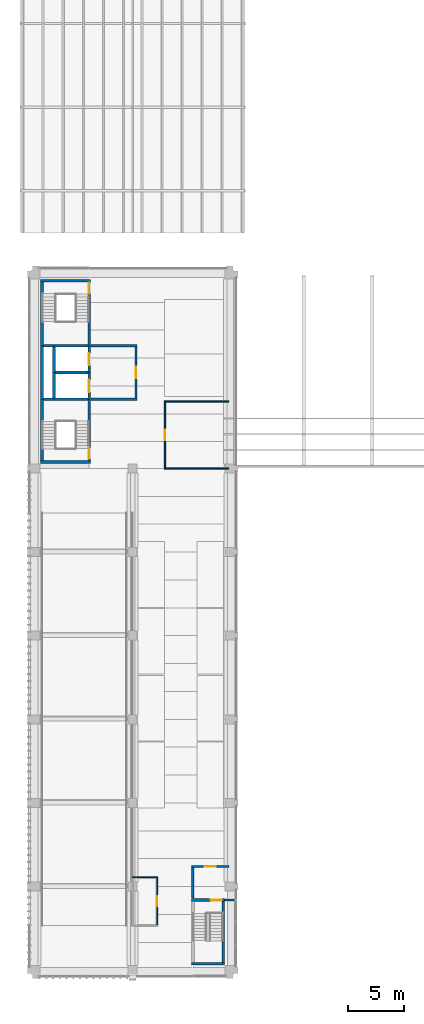
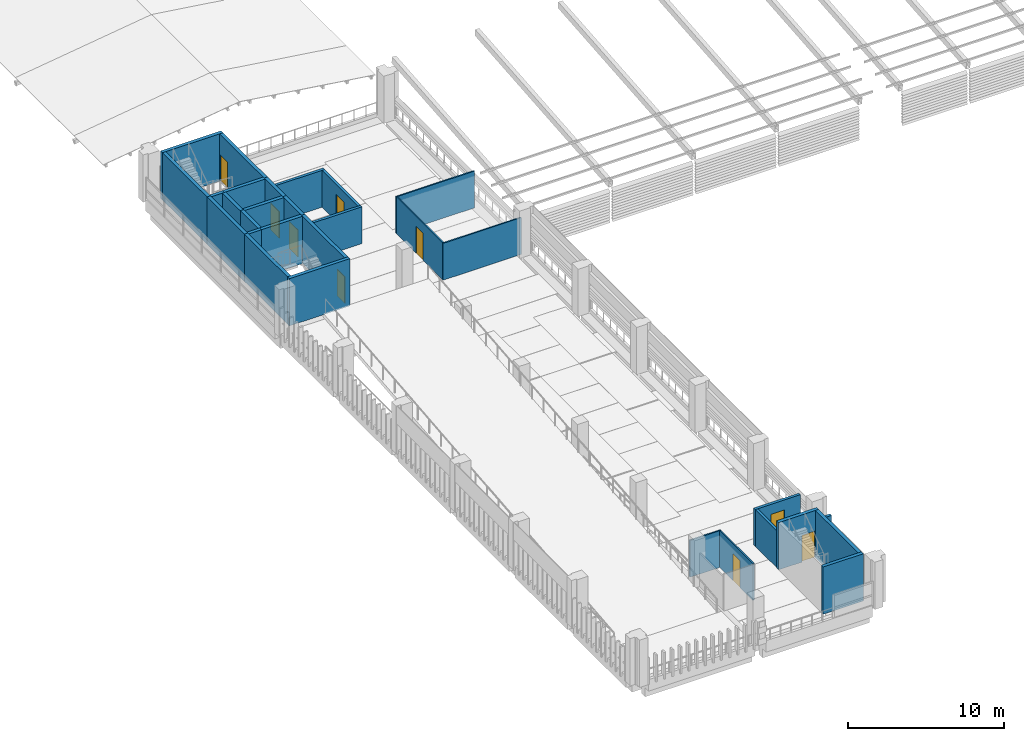
# One storey, part 24 of 52: 30 walls, 9 doors, 9 openings.
"""IFC4 building model written with IfcOpenShell, lengths in metres."""

from ifc_helpers import new_model, si_unit, direction, frame, frame_2d, origin, place, context, subcontext, project, spatial, rectangle, extrude, material, layer, layer_set, type_object, element, fill, save


model = new_model("IFC4")

# Units and contexts
model_context = context("Model", 3, precision=1e-05, world=origin(), true_north=direction((0.0, 1.0)))
body_context = subcontext(model_context, "Body", "Model", "MODEL_VIEW")
ifc_project = project(units=[si_unit("LENGTHUNIT", "METRE"), si_unit("AREAUNIT", "SQUARE_METRE"), si_unit("VOLUMEUNIT", "CUBIC_METRE"), si_unit("PLANEANGLEUNIT", "RADIAN"), si_unit("MASSUNIT", "GRAM", prefix="KILO")], contexts=[model_context])

# Site, building, storey
site_placement = place(None, origin())
site = spatial("IfcSite", under=ifc_project, at=site_placement, CompositionType="ELEMENT")
building_placement = place(site_placement, origin())
building = spatial("IfcBuilding", under=site, at=building_placement, Name="Cour d'Honneur Mobility Palace", CompositionType="ELEMENT")
storey_placement = place(building_placement, frame((0.0, 0.0, 23.0)))
storey = spatial("IfcBuildingStorey", under=building, at=storey_placement, Name="L06", CompositionType="ELEMENT", Elevation=23.0)

# Walls
ifc_material_1 = material(Name="Concrete C50", Category="concrete")
ifc_layer_1 = layer(ifc_material_1, 0.25)
ifc_layer_set_1 = layer_set([ifc_layer_1], Name="Concrete C50")
wall_type_1 = type_object("IfcWallType", Name="Lift shaft wall 250", PredefinedType="SHEAR", material=ifc_layer_set_1)
wall_1_placement = place(storey_placement, frame((1.77490234375, 53.60009765625, 0.0), z_axis=(0.0, 0.0, 1.0), x_axis=(1.0, 0.0, 0.0)))
element("IfcWall", 1, at=wall_1_placement, inside=storey, type_object=wall_type_1, Name="Lift shaft wall WL-CW4 L06", PredefinedType="SHEAR", context=body_context, shape_type="SweptSolid", body=[
    extrude(rectangle(XDim=2.900146484375, YDim=0.25, at=frame_2d((1.4501953125, 0.0))), origin(), (0.0, 0.0, 1.0), 3.699951171875),
])
wall_2_placement = place(storey_placement, frame((1.64990234375, 51.324951171875, 0.0), z_axis=(0.0, 0.0, 1.0), x_axis=(0.0, 1.0, 0.0)))
element("IfcWall", 2, at=wall_2_placement, inside=storey, type_object=wall_type_1, Name="Lift shaft wall WL-CW11 L06", PredefinedType="SHEAR", context=body_context, shape_type="SweptSolid", body=[
    extrude(rectangle(XDim=2.275146484375, YDim=0.25, at=frame_2d((1.1376953125, 0.0))), origin(), (0.0, 0.0, 1.0), 3.699951171875),
])
wall_3_placement = place(storey_placement, frame((1.64990234375, 53.60009765625, 0.0), z_axis=(0.0, 0.0, 1.0), x_axis=(0.0, 1.0, 0.0)))
element("IfcWall", 3, at=wall_3_placement, inside=storey, type_object=wall_type_1, Name="Lift shaft wall WL-CW12 L06", PredefinedType="SHEAR", context=body_context, shape_type="SweptSolid", body=[
    extrude(rectangle(XDim=2.27490234375, YDim=0.25, at=frame_2d((1.137451171875, 0.0))), origin(), (0.0, 0.0, 1.0), 3.699951171875),
])

# Wall, opening, door
wall_4_placement = place(storey_placement, frame((4.800048828125, 51.199951171875, 0.0), z_axis=(0.0, 0.0, 1.0), x_axis=(0.0, 1.0, 0.0)))
wall_4 = element("IfcWall", 4, at=wall_4_placement, inside=storey, type_object=wall_type_1, Name="Lift shaft wall WL-CW14 L06", PredefinedType="SHEAR", context=body_context, shape_type="SweptSolid", body=[
    extrude(rectangle(XDim=2.400146484375, YDim=0.25, at=frame_2d((1.2001953125, 0.0))), origin(), (0.0, 0.0, 1.0), 3.699951171875),
])
opening_1_placement = place(wall_4_placement, frame((0.64990234375, 0.0, 0.0)))
opening_1 = element("IfcOpeningElement", 5, at=opening_1_placement, cuts=wall_4, Name="Opening LD7", PredefinedType="OPENING", context=body_context, shape_type="SweptSolid", body=[
    extrude(rectangle(XDim=1.10009765625, YDim=2.10009765625, at=frame_2d((0.550048828125, 1.050048828125))), frame((0.0, 0.135009765625, 0.0), z_axis=(0.0, -1.0, 0.0), x_axis=(1.0, 0.0, 0.0)), (0.0, 0.0, 1.0), 0.27001953125),
])
ifc_material_2 = material(Name="Stainless steel", Category="steel")
door_type_1 = type_object("IfcDoorType", Name="Landing door 1100 x 2100", OperationType="SLIDING_TO_LEFT", PredefinedType="DOOR", material=ifc_material_2)
door_1_placement = place(opening_1_placement, origin())
door_1 = element("IfcDoor", 6, at=door_1_placement, inside=storey, type_object=door_type_1, Name="Landing door LF-CW1 L06", OperationType="SLIDING_TO_LEFT", OverallHeight=2.10009765625, OverallWidth=1.10009765625, PredefinedType="DOOR", context=body_context, shape_type="SweptSolid", body=[
    extrude(rectangle(XDim=1.10009765625, YDim=2.10009765625, at=frame_2d((0.550048828125, 1.050048828125))), frame((0.0, 0.02490234375, 0.0), z_axis=(0.0, -1.0, 0.0), x_axis=(1.0, 0.0, 0.0)), (0.0, 0.0, 1.0), 0.050048828125),
])
fill(opening_1, door_1)

wall_5_placement = place(storey_placement, frame((4.800048828125, 53.60009765625, 0.0), z_axis=(0.0, 0.0, 1.0), x_axis=(0.0, 1.0, 0.0)))
wall_5 = element("IfcWall", 7, at=wall_5_placement, inside=storey, type_object=wall_type_1, Name="Lift shaft wall WL-CW15 L06", PredefinedType="SHEAR", context=body_context, shape_type="SweptSolid", body=[
    extrude(rectangle(XDim=2.39990234375, YDim=0.25, at=frame_2d((1.199951171875, 0.0))), origin(), (0.0, 0.0, 1.0), 3.699951171875),
])
opening_2_placement = place(wall_5_placement, frame((0.64990234375, 0.0, 0.0)))
opening_2 = element("IfcOpeningElement", 8, at=opening_2_placement, cuts=wall_5, Name="Opening LD17", PredefinedType="OPENING", context=body_context, shape_type="SweptSolid", body=[
    extrude(rectangle(XDim=1.10009765625, YDim=2.10009765625, at=frame_2d((0.550048828125, 1.050048828125))), frame((0.0, 0.135009765625, 0.0), z_axis=(0.0, -1.0, 0.0), x_axis=(1.0, 0.0, 0.0)), (0.0, 0.0, 1.0), 0.27001953125),
])
door_2_placement = place(opening_2_placement, origin())
door_2 = element("IfcDoor", 9, at=door_2_placement, inside=storey, type_object=door_type_1, Name="Landing door LF-CW2 L06", OperationType="SLIDING_TO_LEFT", OverallHeight=2.10009765625, OverallWidth=1.10009765625, PredefinedType="DOOR", context=body_context, shape_type="SweptSolid", body=[
    extrude(rectangle(XDim=1.10009765625, YDim=2.10009765625, at=frame_2d((0.550048828125, 1.050048828125))), frame((0.0, 0.02490234375, 0.0), z_axis=(0.0, -1.0, 0.0), x_axis=(1.0, 0.0, 0.0)), (0.0, 0.0, 1.0), 0.050048828125),
])
fill(opening_2, door_2)

ifc_material_3 = material(Name="Gypsum plasterboard")
ifc_layer_2 = layer(ifc_material_3, 0.10009765625)
ifc_layer_set_2 = layer_set([ifc_layer_2], Name="Gypsum plasterboard")
wall_type_2 = type_object("IfcWallType", Name="Partition 100", PredefinedType="PARTITIONING", material=ifc_layer_set_2)
wall_6_placement = place(storey_placement, frame((10.89990234375, 4.050048828125, 0.0), z_axis=(0.0, 0.0, 1.0), x_axis=(0.0, 1.0, 0.0)))
wall_6 = element("IfcWall", 10, at=wall_6_placement, inside=storey, type_object=wall_type_2, Name="Partition 002", PredefinedType="PARTITIONING", context=body_context, shape_type="SweptSolid", body=[
    extrude(rectangle(XDim=4.25, YDim=0.10009765625, at=frame_2d((2.125, 0.0))), origin(), (0.0, 0.0, 1.0), 2.8798828125),
])
opening_3_placement = place(wall_6_placement, frame((1.675048828125, 0.0, 0.0)))
opening_3 = element("IfcOpeningElement", 11, at=opening_3_placement, cuts=wall_6, Name="Opening D0604", PredefinedType="OPENING", context=body_context, shape_type="SweptSolid", body=[
    extrude(rectangle(XDim=0.89990234375, YDim=2.10009765625, at=frame_2d((0.449951171875, 1.050048828125))), frame((0.0, 0.06005859375, 0.0), z_axis=(0.0, -1.0, 0.0), x_axis=(1.0, 0.0, 0.0)), (0.0, 0.0, 1.0), 0.1201171875),
])
ifc_material_4 = material(Name="Solid timber", Category="wood")
door_type_2 = type_object("IfcDoorType", Name="Single door 900 x 2100", OperationType="SINGLE_SWING_LEFT", PredefinedType="DOOR", material=ifc_material_4)
door_3_placement = place(opening_3_placement, origin())
door_3 = element("IfcDoor", 12, at=door_3_placement, inside=storey, type_object=door_type_2, Name="Door Valet Handover West", OperationType="SINGLE_SWING_LEFT", OverallHeight=2.10009765625, OverallWidth=0.89990234375, PredefinedType="DOOR", context=body_context, shape_type="SweptSolid", body=[
    extrude(rectangle(XDim=0.89990234375, YDim=2.10009765625, at=frame_2d((0.449951171875, 1.050048828125))), frame((0.0, 0.02490234375, 0.0), z_axis=(0.0, -1.0, 0.0), x_axis=(1.0, 0.0, 0.0)), (0.0, 0.0, 1.0), 0.050048828125),
])
fill(opening_3, door_3)

# Walls
wall_7_placement = place(storey_placement, frame((10.949951171875, 8.35009765625, 0.0), z_axis=(0.0, 0.0, 1.0), x_axis=(-1.0, 0.0, 0.0)))
element("IfcWall", 13, at=wall_7_placement, inside=storey, type_object=wall_type_2, Name="Partition 009", PredefinedType="PARTITIONING", context=body_context, shape_type="SweptSolid", body=[
    extrude(rectangle(XDim=2.300048828125, YDim=0.10009765625, at=frame_2d((1.14990234375, 0.0))), origin(), (0.0, 0.0, 1.0), 2.8798828125),
])
wall_8_placement = place(storey_placement, frame((11.550048828125, 45.0, 0.0), z_axis=(0.0, 0.0, 1.0), x_axis=(1.0, 0.0, 0.0)))
element("IfcWall", 14, at=wall_8_placement, inside=storey, type_object=wall_type_2, Name="Partition 015", PredefinedType="PARTITIONING", context=body_context, shape_type="SweptSolid", body=[
    extrude(rectangle(XDim=5.7900390625, YDim=0.10009765625, at=frame_2d((2.89501953125, 0.0))), origin(), (0.0, 0.0, 1.0), 2.8798828125),
])

# Wall, opening, door
wall_9_placement = place(storey_placement, frame((11.60009765625, 50.949951171875, 0.0), z_axis=(0.0, 0.0, 1.0), x_axis=(0.0, -1.0, 0.0)))
wall_9 = element("IfcWall", 15, at=wall_9_placement, inside=storey, type_object=wall_type_2, Name="Partition 018", PredefinedType="PARTITIONING", context=body_context, shape_type="SweptSolid", body=[
    extrude(rectangle(XDim=5.89990234375, YDim=0.10009765625, at=frame_2d((2.949951171875, 0.0))), origin(), (0.0, 0.0, 1.0), 2.8798828125),
])
opening_4_placement = place(wall_9_placement, frame((2.5, 0.0, 0.0)))
opening_4 = element("IfcOpeningElement", 16, at=opening_4_placement, cuts=wall_9, Name="Opening D0606", PredefinedType="OPENING", context=body_context, shape_type="SweptSolid", body=[
    extrude(rectangle(XDim=0.89990234375, YDim=2.10009765625, at=frame_2d((0.449951171875, 1.050048828125))), frame((0.0, 0.06005859375, 0.0), z_axis=(0.0, -1.0, 0.0), x_axis=(1.0, 0.0, 0.0)), (0.0, 0.0, 1.0), 0.1201171875),
])
door_4_placement = place(opening_4_placement, origin())
door_4 = element("IfcDoor", 17, at=door_4_placement, inside=storey, type_object=door_type_2, Name="Door Charging Control Room", OperationType="SINGLE_SWING_RIGHT", OverallHeight=2.10009765625, OverallWidth=0.89990234375, PredefinedType="DOOR", context=body_context, shape_type="SweptSolid", body=[
    extrude(rectangle(XDim=0.89990234375, YDim=2.10009765625, at=frame_2d((0.449951171875, 1.050048828125))), frame((0.0, 0.02490234375, 0.0), z_axis=(0.0, -1.0, 0.0), x_axis=(1.0, 0.0, 0.0)), (0.0, 0.0, 1.0), 0.050048828125),
])
fill(opening_4, door_4)

# Walls
wall_10_placement = place(storey_placement, frame((17.340087890625, 51.0, 0.0), z_axis=(0.0, 0.0, 1.0), x_axis=(-1.0, 0.0, 0.0)))
element("IfcWall", 18, at=wall_10_placement, inside=storey, type_object=wall_type_2, Name="Partition 019", PredefinedType="PARTITIONING", context=body_context, shape_type="SweptSolid", body=[
    extrude(rectangle(XDim=5.7900390625, YDim=0.10009765625, at=frame_2d((2.89501953125, 0.0))), origin(), (0.0, 0.0, 1.0), 2.8798828125),
])
ifc_material_5 = material(Name="Gypsum plasterboard")
ifc_layer_3 = layer(ifc_material_5, 0.199951171875)
ifc_layer_set_3 = layer_set([ifc_layer_3], Name="Gypsum plasterboard")
wall_type_3 = type_object("IfcWallType", Name="Partition 200 rated EI 120", PredefinedType="PARTITIONING", material=ifc_layer_set_3)
wall_11_placement = place(storey_placement, frame((16.949951171875, 6.300048828125, 0.0), z_axis=(0.0, 0.0, 1.0), x_axis=(1.0, 0.0, 0.0)))
element("IfcWall", 19, at=wall_11_placement, inside=storey, type_object=wall_type_3, Name="Partition 005", PredefinedType="PARTITIONING", context=body_context, shape_type="SweptSolid", body=[
    extrude(rectangle(XDim=0.949951171875, YDim=0.199951171875, at=frame_2d((0.47509765625, 0.0))), origin(), (0.0, 0.0, 1.0), 2.8798828125),
])
wall_12_placement = place(storey_placement, frame((14.10009765625, 9.199951171875, 0.0), z_axis=(0.0, 0.0, 1.0), x_axis=(0.0, -1.0, 0.0)))
element("IfcWall", 20, at=wall_12_placement, inside=storey, type_object=wall_type_3, Name="Partition 012", PredefinedType="PARTITIONING", context=body_context, shape_type="SweptSolid", body=[
    extrude(rectangle(XDim=2.724853515625, YDim=0.199951171875, at=frame_2d((1.3623046875, 0.0))), origin(), (0.0, 0.0, 1.0), 2.8798828125),
])

# Wall, opening, door
wall_13_placement = place(storey_placement, frame((17.340087890625, 9.300048828125, 0.0), z_axis=(0.0, 0.0, 1.0), x_axis=(-1.0, 0.0, 0.0)))
wall_13 = element("IfcWall", 21, at=wall_13_placement, inside=storey, type_object=wall_type_3, Name="Partition 013", PredefinedType="PARTITIONING", context=body_context, shape_type="SweptSolid", body=[
    extrude(rectangle(XDim=3.340087890625, YDim=0.199951171875, at=frame_2d((1.669921875, 0.0))), origin(), (0.0, 0.0, 1.0), 2.8798828125),
])
opening_5_placement = place(wall_13_placement, frame((1.169921875, 0.0, 0.0)))
opening_5 = element("IfcOpeningElement", 22, at=opening_5_placement, cuts=wall_13, Name="Opening D0602", PredefinedType="OPENING", context=body_context, shape_type="SweptSolid", body=[
    extrude(rectangle(XDim=1.0, YDim=2.10009765625, at=frame_2d((0.5, 1.050048828125))), frame((0.0, 0.10986328125, 0.0), z_axis=(0.0, -1.0, 0.0), x_axis=(1.0, 0.0, 0.0)), (0.0, 0.0, 1.0), 0.219970703125),
])
ifc_material_6 = material(Name="Galvanised steel", Category="steel")
door_type_3 = type_object("IfcDoorType", Name="Fire door FD120 1000 x 2100", OperationType="SINGLE_SWING_LEFT", PredefinedType="DOOR", material=ifc_material_6)
door_5_placement = place(opening_5_placement, origin())
door_5 = element("IfcDoor", 23, at=door_5_placement, inside=storey, type_object=door_type_3, Name="Door Stair Lobby RW", OperationType="SINGLE_SWING_LEFT", OverallHeight=2.10009765625, OverallWidth=1.0, PredefinedType="DOOR", context=body_context, shape_type="SweptSolid", body=[
    extrude(rectangle(XDim=1.0, YDim=2.10009765625, at=frame_2d((0.5, 1.050048828125))), frame((0.0, 0.02490234375, 0.0), z_axis=(0.0, -1.0, 0.0), x_axis=(1.0, 0.0, 0.0)), (0.0, 0.0, 1.0), 0.050048828125),
])
fill(opening_5, door_5)

# Wall
wall_14_placement = place(storey_placement, frame((4.97509765625, 51.199951171875, 0.0), z_axis=(0.0, 0.0, 1.0), x_axis=(1.0, 0.0, 0.0)))
element("IfcWall", 24, at=wall_14_placement, inside=storey, type_object=wall_type_3, Name="Partition 021", PredefinedType="PARTITIONING", context=body_context, shape_type="SweptSolid", body=[
    extrude(rectangle(XDim=4.125, YDim=0.199951171875, at=frame_2d((2.0625, 0.0))), origin(), (0.0, 0.0, 1.0), 2.8798828125),
])

# Wall, opening, door
wall_15_placement = place(storey_placement, frame((9.0, 51.300048828125, 0.0), z_axis=(0.0, 0.0, 1.0), x_axis=(0.0, 1.0, 0.0)))
wall_15 = element("IfcWall", 25, at=wall_15_placement, inside=storey, type_object=wall_type_3, Name="Partition 022", PredefinedType="PARTITIONING", context=body_context, shape_type="SweptSolid", body=[
    extrude(rectangle(XDim=4.599853515625, YDim=0.199951171875, at=frame_2d((2.2998046875, 0.0))), origin(), (0.0, 0.0, 1.0), 2.8798828125),
])
opening_6_placement = place(wall_15_placement, frame((1.800048828125, 0.0, 0.0)))
opening_6 = element("IfcOpeningElement", 26, at=opening_6_placement, cuts=wall_15, Name="Opening D0601", PredefinedType="OPENING", context=body_context, shape_type="SweptSolid", body=[
    extrude(rectangle(XDim=1.0, YDim=2.10009765625, at=frame_2d((0.5, 1.050048828125))), frame((0.0, 0.10986328125, 0.0), z_axis=(0.0, -1.0, 0.0), x_axis=(1.0, 0.0, 0.0)), (0.0, 0.0, 1.0), 0.219970703125),
])
door_6_placement = place(opening_6_placement, origin())
door_6 = element("IfcDoor", 27, at=door_6_placement, inside=storey, type_object=door_type_3, Name="Door Firefighting Lobby CW", OperationType="SINGLE_SWING_RIGHT", OverallHeight=2.10009765625, OverallWidth=1.0, PredefinedType="DOOR", context=body_context, shape_type="SweptSolid", body=[
    extrude(rectangle(XDim=1.0, YDim=2.10009765625, at=frame_2d((0.5, 1.050048828125))), frame((0.0, 0.02490234375, 0.0), z_axis=(0.0, -1.0, 0.0), x_axis=(1.0, 0.0, 0.0)), (0.0, 0.0, 1.0), 0.050048828125),
])
fill(opening_6, door_6)

# Walls
wall_16_placement = place(storey_placement, frame((9.10009765625, 56.0, 0.0), z_axis=(0.0, 0.0, 1.0), x_axis=(-1.0, 0.0, 0.0)))
element("IfcWall", 28, at=wall_16_placement, inside=storey, type_object=wall_type_3, Name="Partition 024", PredefinedType="PARTITIONING", context=body_context, shape_type="SweptSolid", body=[
    extrude(rectangle(XDim=4.125, YDim=0.199951171875, at=frame_2d((2.0625, 0.0))), origin(), (0.0, 0.0, 1.0), 2.8798828125),
])
ifc_material_7 = material(Name="Concrete C50", Category="concrete")
ifc_layer_4 = layer(ifc_material_7, 0.25)
ifc_layer_set_4 = layer_set([ifc_layer_4], Name="Concrete C50")
wall_type_4 = type_object("IfcWallType", Name="Shaft wall 250", PredefinedType="SHEAR", material=ifc_layer_set_4)
wall_17_placement = place(storey_placement, frame((0.574951171875, 51.199951171875, 0.0), z_axis=(0.0, 0.0, 1.0), x_axis=(0.0, 1.0, 0.0)))
element("IfcWall", 29, at=wall_17_placement, inside=storey, type_object=wall_type_4, Name="Shaft wall WR-CW9 L06", PredefinedType="SHEAR", context=body_context, shape_type="SweptSolid", body=[
    extrude(rectangle(XDim=4.800048828125, YDim=0.25, at=frame_2d((2.39990234375, 0.0))), origin(), (0.0, 0.0, 1.0), 3.699951171875),
])
ifc_material_8 = material(Name="Concrete C50", Category="concrete")
ifc_layer_5 = layer(ifc_material_8, 0.25)
ifc_layer_set_5 = layer_set([ifc_layer_5], Name="Concrete C50")
wall_type_5 = type_object("IfcWallType", Name="Stair wall 250", PredefinedType="SHEAR", material=ifc_layer_set_5)
wall_18_placement = place(storey_placement, frame((0.449951171875, 45.574951171875, 0.0), z_axis=(0.0, 0.0, 1.0), x_axis=(1.0, 0.0, 0.0)))
element("IfcWall", 30, at=wall_18_placement, inside=storey, type_object=wall_type_5, Name="Stair wall WS-CW1 L06", PredefinedType="SHEAR", context=body_context, shape_type="SweptSolid", body=[
    extrude(rectangle(XDim=4.47509765625, YDim=0.25, at=frame_2d((2.237548828125, 0.0))), origin(), (0.0, 0.0, 1.0), 3.699951171875),
])
wall_19_placement = place(storey_placement, frame((0.699951171875, 51.199951171875, 0.0), z_axis=(0.0, 0.0, 1.0), x_axis=(1.0, 0.0, 0.0)))
element("IfcWall", 31, at=wall_19_placement, inside=storey, type_object=wall_type_5, Name="Stair wall WS-CW2 L06", PredefinedType="SHEAR", context=body_context, shape_type="SweptSolid", body=[
    extrude(rectangle(XDim=0.949951171875, YDim=0.25, at=frame_2d((0.47509765625, 0.0))), origin(), (0.0, 0.0, 1.0), 3.699951171875),
])
wall_20_placement = place(storey_placement, frame((1.64990234375, 51.199951171875, 0.0), z_axis=(0.0, 0.0, 1.0), x_axis=(1.0, 0.0, 0.0)))
element("IfcWall", 32, at=wall_20_placement, inside=storey, type_object=wall_type_5, Name="Stair wall WS-CW3 L06", PredefinedType="SHEAR", context=body_context, shape_type="SweptSolid", body=[
    extrude(rectangle(XDim=3.025146484375, YDim=0.25, at=frame_2d((1.5126953125, 0.0))), origin(), (0.0, 0.0, 1.0), 3.699951171875),
])
wall_21_placement = place(storey_placement, frame((0.699951171875, 56.0, 0.0), z_axis=(0.0, 0.0, 1.0), x_axis=(1.0, 0.0, 0.0)))
element("IfcWall", 33, at=wall_21_placement, inside=storey, type_object=wall_type_5, Name="Stair wall WS-CW5 L06", PredefinedType="SHEAR", context=body_context, shape_type="SweptSolid", body=[
    extrude(rectangle(XDim=0.949951171875, YDim=0.25, at=frame_2d((0.47509765625, 0.0))), origin(), (0.0, 0.0, 1.0), 3.699951171875),
])
wall_22_placement = place(storey_placement, frame((1.64990234375, 56.0, 0.0), z_axis=(0.0, 0.0, 1.0), x_axis=(1.0, 0.0, 0.0)))
element("IfcWall", 34, at=wall_22_placement, inside=storey, type_object=wall_type_5, Name="Stair wall WS-CW6 L06", PredefinedType="SHEAR", context=body_context, shape_type="SweptSolid", body=[
    extrude(rectangle(XDim=3.025146484375, YDim=0.25, at=frame_2d((1.5126953125, 0.0))), origin(), (0.0, 0.0, 1.0), 3.699951171875),
])
wall_23_placement = place(storey_placement, frame((0.449951171875, 61.824951171875, 0.0), z_axis=(0.0, 0.0, 1.0), x_axis=(1.0, 0.0, 0.0)))
element("IfcWall", 35, at=wall_23_placement, inside=storey, type_object=wall_type_5, Name="Stair wall WS-CW7 L06", PredefinedType="SHEAR", context=body_context, shape_type="SweptSolid", body=[
    extrude(rectangle(XDim=4.47509765625, YDim=0.25, at=frame_2d((2.237548828125, 0.0))), origin(), (0.0, 0.0, 1.0), 3.699951171875),
])
wall_24_placement = place(storey_placement, frame((0.574951171875, 45.699951171875, 0.0), z_axis=(0.0, 0.0, 1.0), x_axis=(0.0, 1.0, 0.0)))
element("IfcWall", 36, at=wall_24_placement, inside=storey, type_object=wall_type_5, Name="Stair wall WS-CW8 L06", PredefinedType="SHEAR", context=body_context, shape_type="SweptSolid", body=[
    extrude(rectangle(XDim=5.5, YDim=0.25, at=frame_2d((2.75, 0.0))), origin(), (0.0, 0.0, 1.0), 3.699951171875),
])
wall_25_placement = place(storey_placement, frame((0.574951171875, 56.0, 0.0), z_axis=(0.0, 0.0, 1.0), x_axis=(0.0, 1.0, 0.0)))
element("IfcWall", 37, at=wall_25_placement, inside=storey, type_object=wall_type_5, Name="Stair wall WS-CW10 L06", PredefinedType="SHEAR", context=body_context, shape_type="SweptSolid", body=[
    extrude(rectangle(XDim=5.699951171875, YDim=0.25, at=frame_2d((2.85009765625, 0.0))), origin(), (0.0, 0.0, 1.0), 3.699951171875),
])

# Wall, opening, door
wall_26_placement = place(storey_placement, frame((4.800048828125, 45.699951171875, 0.0), z_axis=(0.0, 0.0, 1.0), x_axis=(0.0, 1.0, 0.0)))
wall_26 = element("IfcWall", 38, at=wall_26_placement, inside=storey, type_object=wall_type_5, Name="Stair wall WS-CW13 L06", PredefinedType="SHEAR", context=body_context, shape_type="SweptSolid", body=[
    extrude(rectangle(XDim=5.5, YDim=0.25, at=frame_2d((2.75, 0.0))), origin(), (0.0, 0.0, 1.0), 3.699951171875),
])
opening_7_placement = place(wall_26_placement, frame((0.14990234375, 0.0, 0.0)))
opening_7 = element("IfcOpeningElement", 39, at=opening_7_placement, cuts=wall_26, Name="Opening S135", PredefinedType="OPENING", context=body_context, shape_type="SweptSolid", body=[
    extrude(rectangle(XDim=1.0, YDim=2.10009765625, at=frame_2d((0.5, 1.050048828125))), frame((0.0, 0.135009765625, 0.0), z_axis=(0.0, -1.0, 0.0), x_axis=(1.0, 0.0, 0.0)), (0.0, 0.0, 1.0), 0.27001953125),
])
ifc_material_9 = material(Name="Galvanised steel", Category="steel")
door_type_4 = type_object("IfcDoorType", Name="Fire door FD120 stair 1000 x 2100", OperationType="SINGLE_SWING_LEFT", PredefinedType="DOOR", material=ifc_material_9)
door_7_placement = place(opening_7_placement, origin())
door_7 = element("IfcDoor", 40, at=door_7_placement, inside=storey, type_object=door_type_4, Name="Stair door ST-CW1 L06", OperationType="SINGLE_SWING_RIGHT", OverallHeight=2.10009765625, OverallWidth=1.0, PredefinedType="DOOR", context=body_context, shape_type="SweptSolid", body=[
    extrude(rectangle(XDim=1.0, YDim=2.10009765625, at=frame_2d((0.5, 1.050048828125))), frame((0.0, 0.02490234375, 0.0), z_axis=(0.0, -1.0, 0.0), x_axis=(1.0, 0.0, 0.0)), (0.0, 0.0, 1.0), 0.050048828125),
])
fill(opening_7, door_7)

wall_27_placement = place(storey_placement, frame((4.800048828125, 56.0, 0.0), z_axis=(0.0, 0.0, 1.0), x_axis=(0.0, 1.0, 0.0)))
wall_27 = element("IfcWall", 41, at=wall_27_placement, inside=storey, type_object=wall_type_5, Name="Stair wall WS-CW16 L06", PredefinedType="SHEAR", context=body_context, shape_type="SweptSolid", body=[
    extrude(rectangle(XDim=5.699951171875, YDim=0.25, at=frame_2d((2.85009765625, 0.0))), origin(), (0.0, 0.0, 1.0), 3.699951171875),
])
opening_8_placement = place(wall_27_placement, frame((4.675048828125, 0.0, 0.0)))
opening_8 = element("IfcOpeningElement", 42, at=opening_8_placement, cuts=wall_27, Name="Opening S71", PredefinedType="OPENING", context=body_context, shape_type="SweptSolid", body=[
    extrude(rectangle(XDim=1.0, YDim=2.10009765625, at=frame_2d((0.5, 1.050048828125))), frame((0.0, 0.135009765625, 0.0), z_axis=(0.0, -1.0, 0.0), x_axis=(1.0, 0.0, 0.0)), (0.0, 0.0, 1.0), 0.27001953125),
])
door_8_placement = place(opening_8_placement, origin())
door_8 = element("IfcDoor", 43, at=door_8_placement, inside=storey, type_object=door_type_4, Name="Stair door ST-CW2 L06", OperationType="SINGLE_SWING_LEFT", OverallHeight=2.10009765625, OverallWidth=1.0, PredefinedType="DOOR", context=body_context, shape_type="SweptSolid", body=[
    extrude(rectangle(XDim=1.0, YDim=2.10009765625, at=frame_2d((0.5, 1.050048828125))), frame((0.0, 0.02490234375, 0.0), z_axis=(0.0, -1.0, 0.0), x_axis=(1.0, 0.0, 0.0)), (0.0, 0.0, 1.0), 0.050048828125),
])
fill(opening_8, door_8)

# Wall
wall_28_placement = place(storey_placement, frame((13.97509765625, 0.574951171875, 0.0), z_axis=(0.0, 0.0, 1.0), x_axis=(1.0, 0.0, 0.0)))
element("IfcWall", 44, at=wall_28_placement, inside=storey, type_object=wall_type_5, Name="Stair wall WS-RW1 L06", PredefinedType="SHEAR", context=body_context, shape_type="SweptSolid", body=[
    extrude(rectangle(XDim=2.974853515625, YDim=0.25, at=frame_2d((1.4873046875, 0.0))), origin(), (0.0, 0.0, 1.0), 3.699951171875),
])

# Wall, opening, door
wall_29_placement = place(storey_placement, frame((13.97509765625, 6.300048828125, 0.0), z_axis=(0.0, 0.0, 1.0), x_axis=(1.0, 0.0, 0.0)))
wall_29 = element("IfcWall", 45, at=wall_29_placement, inside=storey, type_object=wall_type_5, Name="Stair wall WS-RW2 L06", PredefinedType="SHEAR", context=body_context, shape_type="SweptSolid", body=[
    extrude(rectangle(XDim=2.974853515625, YDim=0.25, at=frame_2d((1.4873046875, 0.0))), origin(), (0.0, 0.0, 1.0), 3.699951171875),
])
opening_9_placement = place(wall_29_placement, frame((1.72509765625, 0.0, 0.0)))
opening_9 = element("IfcOpeningElement", 46, at=opening_9_placement, cuts=wall_29, Name="Opening S115", PredefinedType="OPENING", context=body_context, shape_type="SweptSolid", body=[
    extrude(rectangle(XDim=1.0, YDim=2.10009765625, at=frame_2d((0.5, 1.050048828125))), frame((0.0, 0.135009765625, 0.0), z_axis=(0.0, -1.0, 0.0), x_axis=(1.0, 0.0, 0.0)), (0.0, 0.0, 1.0), 0.27001953125),
])
door_9_placement = place(opening_9_placement, origin())
door_9 = element("IfcDoor", 47, at=door_9_placement, inside=storey, type_object=door_type_4, Name="Stair door ST-RW1 L06", OperationType="SINGLE_SWING_RIGHT", OverallHeight=2.10009765625, OverallWidth=1.0, PredefinedType="DOOR", context=body_context, shape_type="SweptSolid", body=[
    extrude(rectangle(XDim=1.0, YDim=2.10009765625, at=frame_2d((0.5, 1.050048828125))), frame((0.0, 0.02490234375, 0.0), z_axis=(0.0, -1.0, 0.0), x_axis=(1.0, 0.0, 0.0)), (0.0, 0.0, 1.0), 0.050048828125),
])
fill(opening_9, door_9)

# Wall
wall_30_placement = place(storey_placement, frame((16.824951171875, 0.699951171875, 0.0), z_axis=(0.0, 0.0, 1.0), x_axis=(0.0, 1.0, 0.0)))
element("IfcWall", 48, at=wall_30_placement, inside=storey, type_object=wall_type_5, Name="Stair wall WS-RW4 L06", PredefinedType="SHEAR", context=body_context, shape_type="SweptSolid", body=[
    extrude(rectangle(XDim=5.47509765625, YDim=0.25, at=frame_2d((2.737548828125, 0.0))), origin(), (0.0, 0.0, 1.0), 3.699951171875),
])

save(model, "model.ifc")
